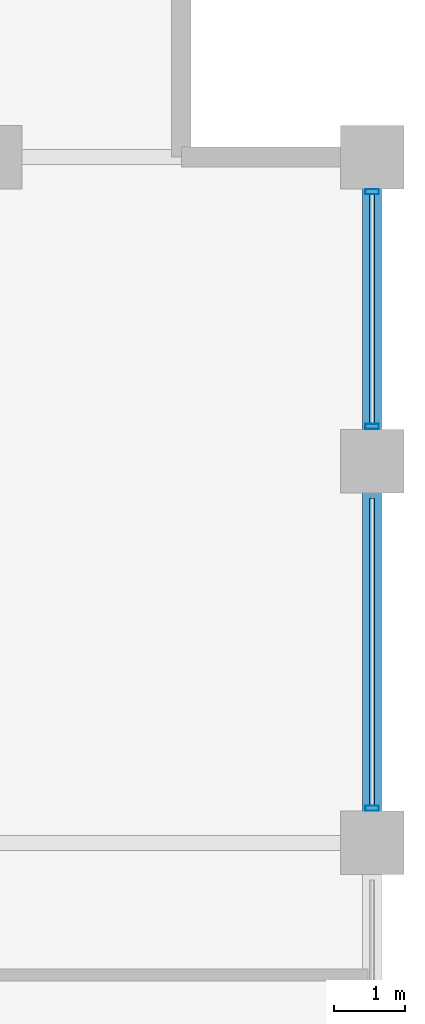
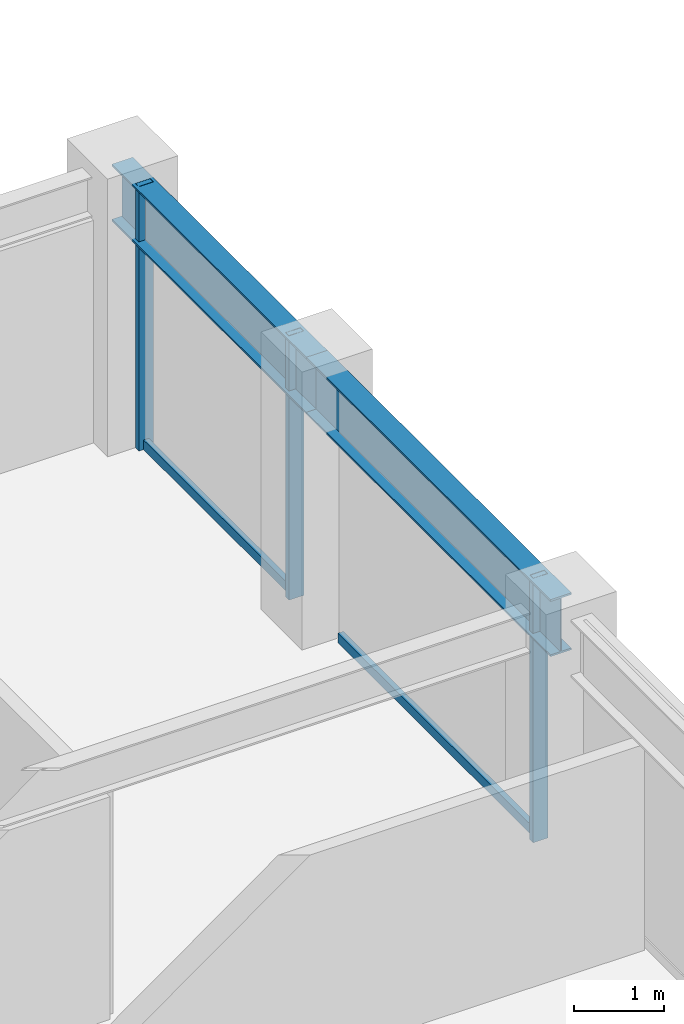
# One storey, part 25 of 32: 5 members, 2 beams, 1 element without a shape of its own.
"""IFC4 building model written with IfcOpenShell, lengths in metres."""

from ifc_helpers import new_model, si_unit, direction, frame, origin, origin_2d, place, context, subcontext, project, spatial, hollow_rectangle, i_section, extrude, material, layer, layer_set, material_profile, profile_set, type_object, element, aggregate, save


model = new_model("IFC4")

# Units and contexts
model_context = context("Model", 3, precision=1e-05, world=origin(), true_north=direction((0.0, 1.0)))
body_context = subcontext(model_context, "Body", "Model", "MODEL_VIEW")
ifc_project = project(units=[si_unit("LENGTHUNIT", "METRE"), si_unit("AREAUNIT", "SQUARE_METRE"), si_unit("VOLUMEUNIT", "CUBIC_METRE"), si_unit("PLANEANGLEUNIT", "RADIAN"), si_unit("MASSUNIT", "GRAM", prefix="KILO")], contexts=[model_context])

# Site, building, storey
site_placement = place(None, origin())
site = spatial("IfcSite", under=ifc_project, at=site_placement, CompositionType="ELEMENT")
building_placement = place(site_placement, origin())
building = spatial("IfcBuilding", under=site, at=building_placement, Name="Surkhivell Harbour Commons", CompositionType="ELEMENT")
storey_placement = place(building_placement, frame((0.0, 0.0, 201.0)))
storey = spatial("IfcBuildingStorey", under=building, at=storey_placement, Name="L52", CompositionType="ELEMENT", Elevation=201.0)

# Beams
ifc_material_1 = material(Name="Steel S355", Category="steel")
ifc_material_profile_1 = material_profile(ifc_material_1, i_section(OverallWidth=0.26806640625, OverallDepth=0.77001953125, WebThickness=0.015625, FlangeThickness=0.025390625, at=origin_2d()), Name="UB762x267x197")
ifc_profile_set_1 = profile_set([ifc_material_profile_1], Name="Steel S355")
beam_type = type_object("IfcBeamType", Name="BM-SPN-762", PredefinedType="SPANDREL", material=ifc_profile_set_1)
beam_1_placement = place(storey_placement, frame((21.60009765625, 10.800048828125, 3.18505859375), z_axis=(0.0, 1.0, 0.0), x_axis=(-1.0, 0.0, 0.0)))
element("IfcBeam", 1, at=beam_1_placement, inside=storey, type_object=beam_type, Name="L52 Tube Spandrel (21.6,10.8)", PredefinedType="SPANDREL", context=body_context, shape_type="SweptSolid", body=[
    extrude(i_section(OverallWidth=0.26806640625, OverallDepth=0.77001953125, WebThickness=0.015625, FlangeThickness=0.025390625, at=origin_2d()), origin(), (0.0, 0.0, 1.0), 5.39990234375),
])
beam_2_placement = place(storey_placement, frame((21.60009765625, 16.199951171875, 3.18505859375), z_axis=(0.0, 1.0, 0.0), x_axis=(-1.0, 0.0, 0.0)))
element("IfcBeam", 2, at=beam_2_placement, inside=storey, type_object=beam_type, Name="L52 Tube Spandrel (21.6,16.2)", PredefinedType="SPANDREL", context=body_context, shape_type="SweptSolid", body=[
    extrude(i_section(OverallWidth=0.26806640625, OverallDepth=0.77001953125, WebThickness=0.015625, FlangeThickness=0.025390625, at=origin_2d()), origin(), (0.0, 0.0, 1.0), 4.300048828125),
])

# Curtain wall, members
ifc_material_2 = material(Name="Anodised pale-metal aluminium and insulated glazing", Category="aluminium")
ifc_layer = layer(ifc_material_2, 0.18994140625)
ifc_layer_set = layer_set([ifc_layer], Name="Anodised pale-metal aluminium and insulated glazing")
curtain_wall_type = type_object("IfcCurtainWallType", Name="CW-SYS-Z3", PredefinedType="NOTDEFINED", material=ifc_layer_set)
curtain_wall_placement = place(storey_placement, origin())
curtain_wall = element("IfcCurtainWall", 3, at=curtain_wall_placement, inside=storey, type_object=curtain_wall_type, Name="L52 Curtain Wall CW-L52-E02", PredefinedType="NOTDEFINED")
ifc_material_3 = material(Name="Anodised pale-metal aluminium alloy 6063-T6", Category="aluminium")
ifc_material_profile_2 = material_profile(ifc_material_3, hollow_rectangle(XDim=0.074951171875, YDim=0.18994140625, WallThickness=0.00390625, at=origin_2d()), Name="ALU-MULL-75x190")
ifc_profile_set_2 = profile_set([ifc_material_profile_2], Name="Anodised pale-metal aluminium alloy 6063-T6")
member_type_1 = type_object("IfcMemberType", Name="CWM-190", PredefinedType="MULLION", material=ifc_profile_set_2)
member_1_placement = place(storey_placement, frame((21.60009765625, 11.28955078125, 0.0), z_axis=(0.0, 0.0, 1.0), x_axis=(0.0, 1.0, 0.0)))
member_1 = element("IfcMember", 4, at=member_1_placement, type_object=member_type_1, Name="CW-Z3 mullion 4", PredefinedType="MULLION", context=body_context, shape_type="SweptSolid", body=[
    extrude(hollow_rectangle(XDim=0.074951171875, YDim=0.18994140625, WallThickness=0.00390625, at=origin_2d()), origin(), (0.0, 0.0, 1.0), 3.570068359375),
])
member_2_placement = place(storey_placement, frame((21.60009765625, 16.689453125, 0.0), z_axis=(0.0, 0.0, 1.0), x_axis=(0.0, 1.0, 0.0)))
member_2 = element("IfcMember", 5, at=member_2_placement, type_object=member_type_1, Name="CW-Z3 mullion 5", PredefinedType="MULLION", context=body_context, shape_type="SweptSolid", body=[
    extrude(hollow_rectangle(XDim=0.074951171875, YDim=0.18994140625, WallThickness=0.00390625, at=origin_2d()), origin(), (0.0, 0.0, 1.0), 3.570068359375),
])
member_3_placement = place(storey_placement, frame((21.60009765625, 20.010498046875, 0.0), z_axis=(0.0, 0.0, 1.0), x_axis=(0.0, 1.0, 0.0)))
member_3 = element("IfcMember", 6, at=member_3_placement, type_object=member_type_1, Name="CW-Z3 mullion 6", PredefinedType="MULLION", context=body_context, shape_type="SweptSolid", body=[
    extrude(hollow_rectangle(XDim=0.074951171875, YDim=0.18994140625, WallThickness=0.00390625, at=origin_2d()), origin(), (0.0, 0.0, 1.0), 3.570068359375),
])
ifc_material_4 = material(Name="Champagne anodised aluminium alloy 6063-T6", Category="aluminium")
ifc_material_profile_3 = material_profile(ifc_material_4, hollow_rectangle(XDim=0.070068359375, YDim=0.1298828125, WallThickness=0.00341796875, at=origin_2d()), Name="ALU-TRAN-70x130")
ifc_profile_set_3 = profile_set([ifc_material_profile_3], Name="Champagne anodised aluminium alloy 6063-T6")
member_type_2 = type_object("IfcMemberType", Name="CWT-130", PredefinedType="USERDEFINED", material=ifc_profile_set_3)
member_4_placement = place(storey_placement, frame((21.60009765625, 11.326904296875, 0.06494140625), z_axis=(0.0, 1.0, 0.0), x_axis=(-1.0, 0.0, 0.0)))
member_4 = element("IfcMember", 7, at=member_4_placement, type_object=member_type_2, Name="CW-Z3 transom 4.1", ObjectType="TRANSOM", PredefinedType="USERDEFINED", context=body_context, shape_type="SweptSolid", body=[
    extrude(hollow_rectangle(XDim=0.070068359375, YDim=0.1298828125, WallThickness=0.00341796875, at=origin_2d()), origin(), (0.0, 0.0, 1.0), 4.34619140625),
])
member_5_placement = place(storey_placement, frame((21.60009765625, 16.72705078125, 0.06494140625), z_axis=(0.0, 1.0, 0.0), x_axis=(-1.0, 0.0, 0.0)))
member_5 = element("IfcMember", 8, at=member_5_placement, type_object=member_type_2, Name="CW-Z3 transom 5.1", ObjectType="TRANSOM", PredefinedType="USERDEFINED", context=body_context, shape_type="SweptSolid", body=[
    extrude(hollow_rectangle(XDim=0.070068359375, YDim=0.1298828125, WallThickness=0.00341796875, at=origin_2d()), origin(), (0.0, 0.0, 1.0), 3.245849609375),
])
aggregate(curtain_wall, [member_1, member_4, member_2, member_3, member_5])

save(model, "model.ifc")
